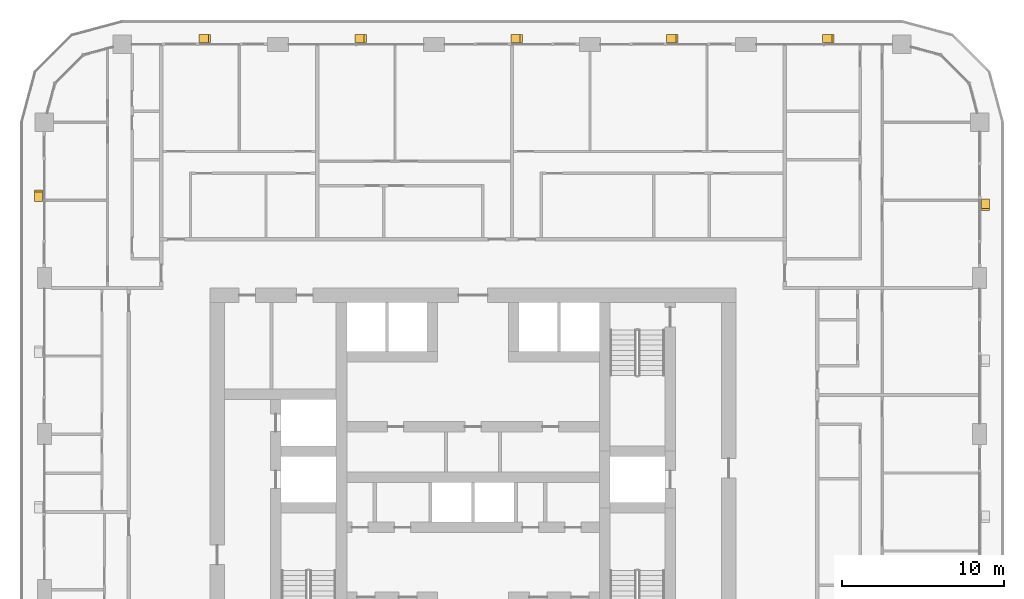
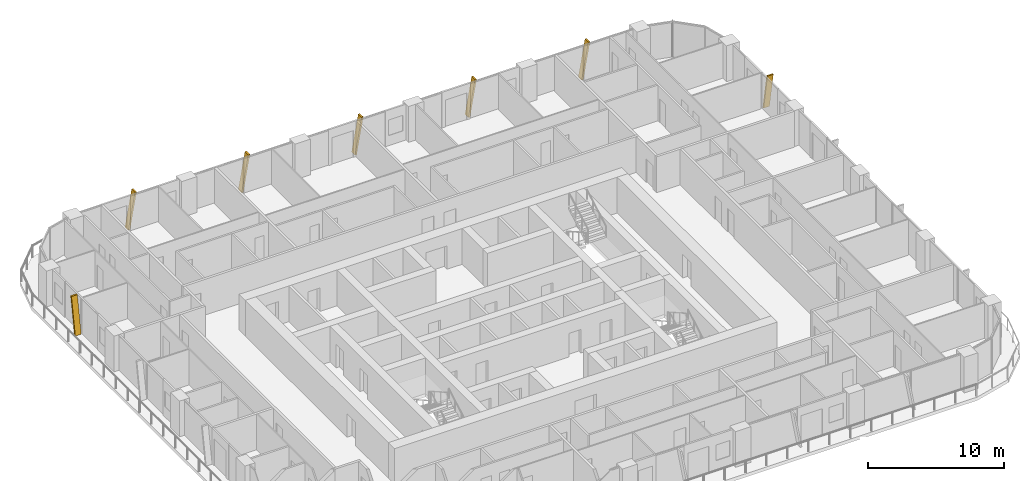
# One storey, part 22 of 22: 7 shading devices.
"""IFC4 building model written with IfcOpenShell, lengths in metres."""

from ifc_helpers import new_model, si_unit, direction, frame, origin, place, context, subcontext, project, spatial, polyline, outline, extrude, material, type_object, element, save


model = new_model("IFC4")

# Units and contexts
model_context = context("Model", 3, precision=1e-05, world=origin(), true_north=direction((0.0, 1.0)))
body_context = subcontext(model_context, "Body", "Model", "MODEL_VIEW")
ifc_project = project(units=[si_unit("LENGTHUNIT", "METRE"), si_unit("AREAUNIT", "SQUARE_METRE"), si_unit("VOLUMEUNIT", "CUBIC_METRE"), si_unit("PLANEANGLEUNIT", "RADIAN"), si_unit("MASSUNIT", "GRAM", prefix="KILO")], contexts=[model_context])

# Site, building, storey
site_placement = place(None, origin())
site = spatial("IfcSite", under=ifc_project, at=site_placement, CompositionType="ELEMENT")
building_placement = place(site_placement, origin())
building = spatial("IfcBuilding", under=site, at=building_placement, Name="Madar Terraces", CompositionType="ELEMENT")
storey_placement = place(building_placement, frame((0.0, 0.0, 99.699951171875)))
storey = spatial("IfcBuildingStorey", under=building, at=storey_placement, Name="L25", CompositionType="ELEMENT", Elevation=99.699951171875)

# Shading devices
ifc_material = material(Name="Aluminium, black anodised", Category="aluminium")
shading_device_type = type_object("IfcShadingDeviceType", Name="Facade fin blade 140 x 500", PredefinedType="USERDEFINED", material=ifc_material)
for number, where, z_axis, x_axis, name in (
    (1, (62.75, 43.1298828125, 0.0), (0.0, 0.0, 1.0), (0.0, 1.0, 0.0), "FIN L25 E4"),
    (2, (52.8701171875, 53.14990234375, 0.0), (0.0, 0.0, 1.0), (-1.0, 0.0, 0.0), "FIN L25 N1"),
    (3, (43.27001953125, 53.14990234375, 0.0), (0.0, 0.0, 1.0), (-1.0, 0.0, 0.0), "FIN L25 N2"),
):
    element("IfcShadingDevice", number, at=place(storey_placement, frame(where, z_axis=z_axis, x_axis=x_axis)), inside=storey, type_object=shading_device_type, Name=name, ObjectType="FIN", PredefinedType="USERDEFINED", context=body_context, shape_type="SweptSolid", body=[
        extrude(outline(polyline([(0.0, 0.0), (0.14013671875, 0.0), (-0.42431640625, 3.199951171875), (-0.564208984375, 3.199951171875), (0.0, 0.0)])), frame((0.0, 0.25, 0.0), z_axis=(0.0, -1.0, 0.0), x_axis=(1.0, 0.0, 0.0)), (0.0, 0.0, 1.0), 0.5),
    ])
shading_device_1_placement = place(storey_placement, frame((33.669921875, 53.14990234375, 0.0), z_axis=(0.0, 0.0, 1.0), x_axis=(-1.0, 0.0, 0.0)))
element("IfcShadingDevice", 4, at=shading_device_1_placement, inside=storey, type_object=shading_device_type, Name="FIN L25 N3", ObjectType="FIN", PredefinedType="USERDEFINED", context=body_context, shape_type="SweptSolid", body=[
    extrude(outline(polyline([(0.0, 0.0), (0.139892578125, 0.0), (-0.42431640625, 3.199951171875), (-0.564208984375, 3.199951171875), (0.0, 0.0)])), frame((0.0, 0.25, 0.0), z_axis=(0.0, -1.0, 0.0), x_axis=(1.0, 0.0, 0.0)), (0.0, 0.0, 1.0), 0.5),
])
shading_device_2_placement = place(storey_placement, frame((24.070068359375, 53.14990234375, 0.0), z_axis=(0.0, 0.0, 1.0), x_axis=(-1.0, 0.0, 0.0)))
element("IfcShadingDevice", 5, at=shading_device_2_placement, inside=storey, type_object=shading_device_type, Name="FIN L25 N4", ObjectType="FIN", PredefinedType="USERDEFINED", context=body_context, shape_type="SweptSolid", body=[
    extrude(outline(polyline([(0.0, 0.0), (0.14013671875, 0.0), (-0.42431640625, 3.199951171875), (-0.564208984375, 3.199951171875), (0.0, 0.0)])), frame((0.0, 0.25, 0.0), z_axis=(0.0, -1.0, 0.0), x_axis=(1.0, 0.0, 0.0)), (0.0, 0.0, 1.0), 0.5),
])
shading_device_3_placement = place(storey_placement, frame((14.469970703125, 53.14990234375, 0.0), z_axis=(0.0, 0.0, 1.0), x_axis=(-1.0, 0.0, 0.0)))
element("IfcShadingDevice", 6, at=shading_device_3_placement, inside=storey, type_object=shading_device_type, Name="FIN L25 N5", ObjectType="FIN", PredefinedType="USERDEFINED", context=body_context, shape_type="SweptSolid", body=[
    extrude(outline(polyline([(0.0, 0.0), (0.139892578125, 0.0), (-0.42431640625, 3.199951171875), (-0.564208984375, 3.199951171875), (0.0, 0.0)])), frame((0.0, 0.25, 0.0), z_axis=(0.0, -1.0, 0.0), x_axis=(1.0, 0.0, 0.0)), (0.0, 0.0, 1.0), 0.5),
])
shading_device_4_placement = place(storey_placement, frame((4.449951171875, 43.27001953125, 0.0), z_axis=(0.0, 0.0, 1.0), x_axis=(0.0, -1.0, 0.0)))
element("IfcShadingDevice", 7, at=shading_device_4_placement, inside=storey, type_object=shading_device_type, Name="FIN L25 W1", ObjectType="FIN", PredefinedType="USERDEFINED", context=body_context, shape_type="SweptSolid", body=[
    extrude(outline(polyline([(0.0, 0.0), (0.14013671875, 0.0), (-0.42431640625, 3.199951171875), (-0.564208984375, 3.199951171875), (0.0, 0.0)])), frame((0.0, 0.25, 0.0), z_axis=(0.0, -1.0, 0.0), x_axis=(1.0, 0.0, 0.0)), (0.0, 0.0, 1.0), 0.5),
])

save(model, "model.ifc")
